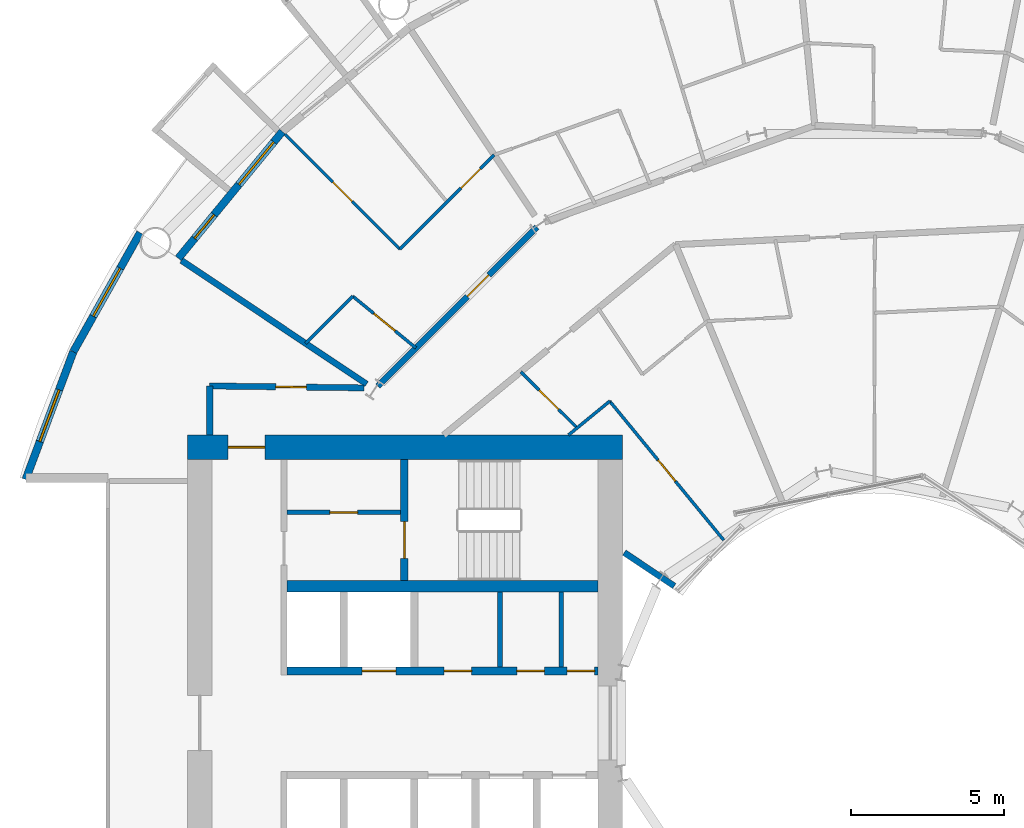
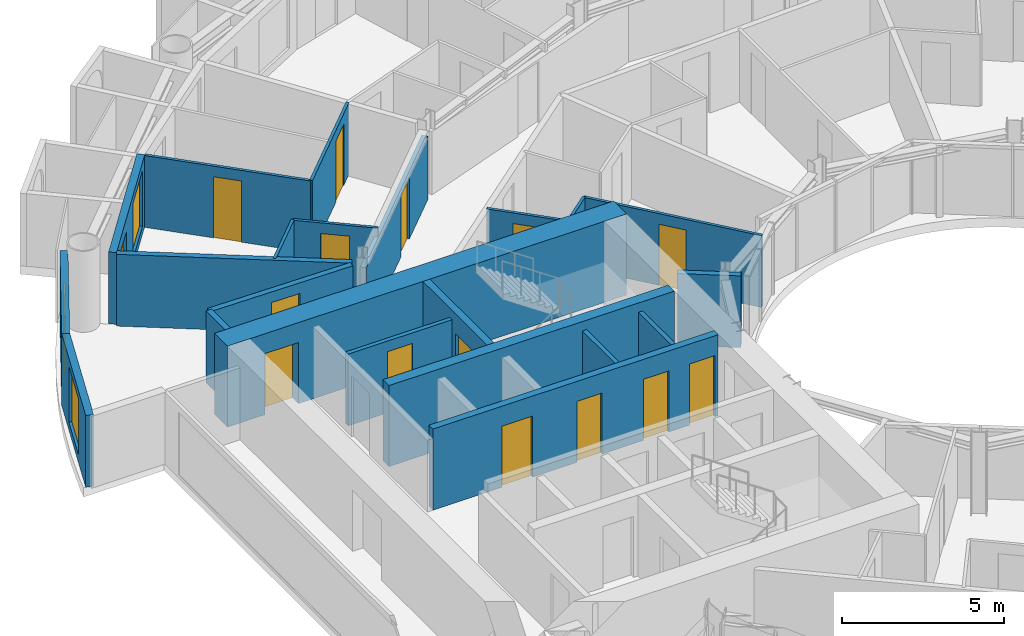
# One storey, part 18 of 25: 22 walls, 15 doors, 3 windows, 18 openings.
"""IFC4 building model written with IfcOpenShell, lengths in metres."""

from ifc_helpers import new_model, si_unit, direction, frame, frame_2d, origin, place, context, subcontext, project, spatial, rectangle, extrude, material, layer, layer_set, type_object, element, fill, save


model = new_model("IFC4")

# Units and contexts
model_context = context("Model", 3, precision=1e-05, world=origin(), true_north=direction((0.0, 1.0)))
body_context = subcontext(model_context, "Body", "Model", "MODEL_VIEW")
ifc_project = project(units=[si_unit("LENGTHUNIT", "METRE"), si_unit("AREAUNIT", "SQUARE_METRE"), si_unit("VOLUMEUNIT", "CUBIC_METRE"), si_unit("PLANEANGLEUNIT", "RADIAN"), si_unit("MASSUNIT", "GRAM", prefix="KILO")], contexts=[model_context])

# Site, building, storey
site_placement = place(None, origin())
site = spatial("IfcSite", under=ifc_project, at=site_placement, CompositionType="ELEMENT")
building_placement = place(site_placement, origin())
building = spatial("IfcBuilding", under=site, at=building_placement, Name="Maasbend Ring Residences", CompositionType="ELEMENT")
storey_placement = place(building_placement, frame((0.0, 0.0, 41.10009765625)))
storey = spatial("IfcBuildingStorey", under=building, at=storey_placement, Name="L11", CompositionType="ELEMENT", Elevation=41.10009765625)

# Wall, openings, doors
ifc_material_1 = material(Name="Concrete C70/85", Category="concrete")
ifc_layer_1 = layer(ifc_material_1, 0.25)
ifc_layer_set_1 = layer_set([ifc_layer_1], Name="Concrete C70/85")
wall_type_1 = type_object("IfcWallType", Name="CORE WALL 250 C70/85", PredefinedType="SHEAR", material=ifc_layer_set_1)
wall_1_placement = place(storey_placement, frame((-19.14990234375, 1.699951171875, 0.0), z_axis=(0.0, 0.0, 1.0), x_axis=(1.0, 0.0, 0.0)))
wall_1 = element("IfcWall", 1, at=wall_1_placement, inside=storey, type_object=wall_type_1, Name="L11 core W wall SPS", PredefinedType="SHEAR", context=body_context, shape_type="SweptSolid", body=[
    extrude(rectangle(XDim=10.14990234375, YDim=0.25, at=frame_2d((5.074951171875, 0.0))), origin(), (0.0, 0.0, 1.0), 3.0498046875),
])
opening_1_placement = place(wall_1_placement, frame((2.449951171875, 0.0, 0.0)))
opening_1 = element("IfcOpeningElement", 2, at=opening_1_placement, cuts=wall_1, Name="Opening LD-W1105", PredefinedType="OPENING", context=body_context, shape_type="SweptSolid", body=[
    extrude(rectangle(XDim=1.10009765625, YDim=2.300048828125, at=frame_2d((0.550048828125, 1.14990234375))), frame((0.0, 0.135009765625, 0.0), z_axis=(0.0, -1.0, 0.0), x_axis=(1.0, 0.0, 0.0)), (0.0, 0.0, 1.0), 0.27001953125),
])
opening_2_placement = place(wall_1_placement, frame((9.137451171875, 0.0, 0.0)))
opening_2 = element("IfcOpeningElement", 3, at=opening_2_placement, cuts=wall_1, Name="Opening D-W1106", PredefinedType="OPENING", context=body_context, shape_type="SweptSolid", body=[
    extrude(rectangle(XDim=0.89990234375, YDim=2.300048828125, at=frame_2d((0.449951171875, 1.14990234375))), frame((0.0, 0.135009765625, 0.0), z_axis=(0.0, -1.0, 0.0), x_axis=(1.0, 0.0, 0.0)), (0.0, 0.0, 1.0), 0.27001953125),
])
opening_3_placement = place(wall_1_placement, frame((7.5, 0.0, 0.0)))
opening_3 = element("IfcOpeningElement", 4, at=opening_3_placement, cuts=wall_1, Name="Opening D-W1107", PredefinedType="OPENING", context=body_context, shape_type="SweptSolid", body=[
    extrude(rectangle(XDim=0.89990234375, YDim=2.300048828125, at=frame_2d((0.449951171875, 1.14990234375))), frame((0.0, 0.135009765625, 0.0), z_axis=(0.0, -1.0, 0.0), x_axis=(1.0, 0.0, 0.0)), (0.0, 0.0, 1.0), 0.27001953125),
])
opening_4_placement = place(wall_1_placement, frame((5.125, 0.0, 0.0)))
opening_4 = element("IfcOpeningElement", 5, at=opening_4_placement, cuts=wall_1, Name="Opening D-W1108", PredefinedType="OPENING", context=body_context, shape_type="SweptSolid", body=[
    extrude(rectangle(XDim=0.89990234375, YDim=2.300048828125, at=frame_2d((0.449951171875, 1.14990234375))), frame((0.0, 0.135009765625, 0.0), z_axis=(0.0, -1.0, 0.0), x_axis=(1.0, 0.0, 0.0)), (0.0, 0.0, 1.0), 0.27001953125),
])
ifc_material_2 = material(Name="Stainless steel 316", Category="steel")
door_type_1 = type_object("IfcDoorType", Name="LANDING DOOR 1100 X 2300 FD60", OperationType="DOUBLE_DOOR_SLIDING", PredefinedType="DOOR", material=ifc_material_2)
door_1_placement = place(opening_1_placement, origin())
door_1 = element("IfcDoor", 6, at=door_1_placement, inside=storey, type_object=door_type_1, Name="Landing door SV-W L11", OperationType="DOUBLE_DOOR_SLIDING", OverallHeight=2.300048828125, OverallWidth=1.10009765625, PredefinedType="DOOR", context=body_context, shape_type="SweptSolid", body=[
    extrude(rectangle(XDim=1.10009765625, YDim=2.300048828125, at=frame_2d((0.550048828125, 1.14990234375))), frame((0.0, 0.02490234375, 0.0), z_axis=(0.0, -1.0, 0.0), x_axis=(1.0, 0.0, 0.0)), (0.0, 0.0, 1.0), 0.050048828125),
])
fill(opening_1, door_1)
ifc_material_3 = material(Name="Steel, powder coated", Category="steel")
door_type_2 = type_object("IfcDoorType", Name="ROOM DOOR 900 X 2300 FD30S", OperationType="NOTDEFINED", PredefinedType="DOOR", material=ifc_material_3)
door_2_placement = place(opening_2_placement, origin())
door_2 = element("IfcDoor", 7, at=door_2_placement, inside=storey, type_object=door_type_2, Name="Room door L11", OperationType="SINGLE_SWING_LEFT", OverallHeight=2.300048828125, OverallWidth=0.89990234375, PredefinedType="DOOR", context=body_context, shape_type="SweptSolid", body=[
    extrude(rectangle(XDim=0.89990234375, YDim=2.300048828125, at=frame_2d((0.449951171875, 1.14990234375))), frame((0.0, 0.02490234375, 0.0), z_axis=(0.0, -1.0, 0.0), x_axis=(1.0, 0.0, 0.0)), (0.0, 0.0, 1.0), 0.050048828125),
])
fill(opening_2, door_2)
door_3_placement = place(opening_3_placement, origin())
door_3 = element("IfcDoor", 8, at=door_3_placement, inside=storey, type_object=door_type_2, Name="Room door L11", OperationType="SINGLE_SWING_LEFT", OverallHeight=2.300048828125, OverallWidth=0.89990234375, PredefinedType="DOOR", context=body_context, shape_type="SweptSolid", body=[
    extrude(rectangle(XDim=0.89990234375, YDim=2.300048828125, at=frame_2d((0.449951171875, 1.14990234375))), frame((0.0, 0.02490234375, 0.0), z_axis=(0.0, -1.0, 0.0), x_axis=(1.0, 0.0, 0.0)), (0.0, 0.0, 1.0), 0.050048828125),
])
fill(opening_3, door_3)
door_4_placement = place(opening_4_placement, origin())
door_4 = element("IfcDoor", 9, at=door_4_placement, inside=storey, type_object=door_type_2, Name="Room door L11", OperationType="SINGLE_SWING_LEFT", OverallHeight=2.300048828125, OverallWidth=0.89990234375, PredefinedType="DOOR", context=body_context, shape_type="SweptSolid", body=[
    extrude(rectangle(XDim=0.89990234375, YDim=2.300048828125, at=frame_2d((0.449951171875, 1.14990234375))), frame((0.0, 0.02490234375, 0.0), z_axis=(0.0, -1.0, 0.0), x_axis=(1.0, 0.0, 0.0)), (0.0, 0.0, 1.0), 0.050048828125),
])
fill(opening_4, door_4)

# Wall, opening, door
wall_2_placement = place(storey_placement, frame((-15.324951171875, 8.60009765625, 0.0), z_axis=(0.0, 0.0, 1.0), x_axis=(0.0, -1.0, 0.0)))
wall_2 = element("IfcWall", 10, at=wall_2_placement, inside=storey, type_object=wall_type_1, Name="L11 core W wall STES", PredefinedType="SHEAR", context=body_context, shape_type="SweptSolid", body=[
    extrude(rectangle(XDim=3.9501953125, YDim=0.25, at=frame_2d((1.97509765625, 0.0))), origin(), (0.0, 0.0, 1.0), 3.0498046875),
])
opening_5_placement = place(wall_2_placement, frame((2.02490234375, 0.0, 0.0)))
opening_5 = element("IfcOpeningElement", 11, at=opening_5_placement, cuts=wall_2, Name="Opening D-W1111", PredefinedType="OPENING", context=body_context, shape_type="SweptSolid", body=[
    extrude(rectangle(XDim=1.199951171875, YDim=2.300048828125, at=frame_2d((0.60009765625, 1.14990234375))), frame((0.0, 0.135009765625, 0.0), z_axis=(0.0, -1.0, 0.0), x_axis=(1.0, 0.0, 0.0)), (0.0, 0.0, 1.0), 0.27001953125),
])
ifc_material_4 = material(Name="Steel, powder coated", Category="steel")
door_type_3 = type_object("IfcDoorType", Name="STAIR DOOR 1200 X 2300 FD60", OperationType="NOTDEFINED", PredefinedType="DOOR", material=ifc_material_4)
door_5_placement = place(opening_5_placement, origin())
door_5 = element("IfcDoor", 12, at=door_5_placement, inside=storey, type_object=door_type_3, Name="Stair door ST-W L11", OperationType="SINGLE_SWING_LEFT", OverallHeight=2.300048828125, OverallWidth=1.199951171875, PredefinedType="DOOR", context=body_context, shape_type="SweptSolid", body=[
    extrude(rectangle(XDim=1.199951171875, YDim=2.300048828125, at=frame_2d((0.60009765625, 1.14990234375))), frame((0.0, 0.02490234375, 0.0), z_axis=(0.0, -1.0, 0.0), x_axis=(1.0, 0.0, 0.0)), (0.0, 0.0, 1.0), 0.050048828125),
])
fill(opening_5, door_5)

# Wall
ifc_material_5 = material(Name="Concrete C70/85", Category="concrete")
ifc_layer_2 = layer(ifc_material_5, 0.375)
ifc_layer_set_2 = layer_set([ifc_layer_2], Name="Concrete C70/85")
wall_type_2 = type_object("IfcWallType", Name="CORE WALL 375 C70/85", PredefinedType="SHEAR", material=ifc_layer_set_2)
wall_3_placement = place(storey_placement, frame((-9.0, 4.46240234375, 0.0), z_axis=(0.0, 0.0, 1.0), x_axis=(-1.0, 0.0, 0.0)))
element("IfcWall", 13, at=wall_3_placement, inside=storey, type_object=wall_type_2, Name="L11 core W wall BS", PredefinedType="SHEAR", context=body_context, shape_type="SweptSolid", body=[
    extrude(rectangle(XDim=10.14990234375, YDim=0.375, at=frame_2d((5.074951171875, 0.0))), origin(), (0.0, 0.0, 1.0), 3.0498046875),
])

# Wall, opening, door
ifc_material_6 = material(Name="Concrete C70/85", Category="concrete")
ifc_layer_3 = layer(ifc_material_6, 0.800048828125)
ifc_layer_set_3 = layer_set([ifc_layer_3], Name="Concrete C70/85")
wall_type_3 = type_object("IfcWallType", Name="CORE WALL 800 C70/85", PredefinedType="SHEAR", material=ifc_layer_set_3)
wall_4_placement = place(storey_placement, frame((-8.199951171875, 9.0, 0.0), z_axis=(0.0, 0.0, 1.0), x_axis=(-1.0, 0.0, 0.0)))
wall_4 = element("IfcWall", 14, at=wall_4_placement, inside=storey, type_object=wall_type_3, Name="L11 core W wall PS", PredefinedType="SHEAR", context=body_context, shape_type="SweptSolid", body=[
    extrude(rectangle(XDim=14.199951171875, YDim=0.800048828125, at=frame_2d((7.10009765625, 0.0))), origin(), (0.0, 0.0, 1.0), 3.0498046875),
])
opening_6_placement = place(wall_4_placement, frame((11.675048828125, 0.0, 0.0)))
opening_6 = element("IfcOpeningElement", 15, at=opening_6_placement, cuts=wall_4, Name="Opening D-W1115", PredefinedType="OPENING", context=body_context, shape_type="SweptSolid", body=[
    extrude(rectangle(XDim=1.199951171875, YDim=2.300048828125, at=frame_2d((0.60009765625, 1.14990234375))), frame((0.0, 0.41015625, 0.0), z_axis=(0.0, -1.0, 0.0), x_axis=(1.0, 0.0, 0.0)), (0.0, 0.0, 1.0), 0.820068359375),
])
ifc_material_7 = material(Name="Steel, powder coated", Category="steel")
door_type_4 = type_object("IfcDoorType", Name="CORRIDOR DOOR 1200 X 2300 FD30S", OperationType="NOTDEFINED", PredefinedType="DOOR", material=ifc_material_7)
door_6_placement = place(opening_6_placement, origin())
door_6 = element("IfcDoor", 16, at=door_6_placement, inside=storey, type_object=door_type_4, Name="Corridor door L11", OperationType="SINGLE_SWING_LEFT", OverallHeight=2.300048828125, OverallWidth=1.199951171875, PredefinedType="DOOR", context=body_context, shape_type="SweptSolid", body=[
    extrude(rectangle(XDim=1.199951171875, YDim=2.300048828125, at=frame_2d((0.60009765625, 1.14990234375))), frame((0.0, 0.02490234375, 0.0), z_axis=(0.0, -1.0, 0.0), x_axis=(1.0, 0.0, 0.0)), (0.0, 0.0, 1.0), 0.050048828125),
])
fill(opening_6, door_6)

ifc_material_8 = material(Name="Concrete C30/37", Category="concrete")
ifc_layer_4 = layer(ifc_material_8, 0.199951171875)
ifc_layer_set_4 = layer_set([ifc_layer_4], Name="Concrete C30/37")
wall_type_4 = type_object("IfcWallType", Name="CORRIDOR WALL 200 CONCRETE", PredefinedType="PARTITIONING", material=ifc_layer_set_4)
wall_5_placement = place(storey_placement, frame((-21.675048828125, 11.0, 0.0), z_axis=(0.0, 0.0, 1.0), x_axis=(0.99992425795, -0.012307654658, 0.0)))
wall_5 = element("IfcWall", 17, at=wall_5_placement, inside=storey, type_object=wall_type_4, Name="U-L11-w095", PredefinedType="PARTITIONING", context=body_context, shape_type="SweptSolid", body=[
    extrude(rectangle(XDim=5.03857421875, YDim=0.199951171875, at=frame_2d((2.519287109375, 0.0))), origin(), (0.0, 0.0, 1.0), 2.699951171875),
])
opening_7_placement = place(wall_5_placement, frame((2.155029296875, 0.0, 0.0)))
opening_7 = element("IfcOpeningElement", 18, at=opening_7_placement, cuts=wall_5, Name="Opening D-1170", PredefinedType="OPENING", context=body_context, shape_type="SweptSolid", body=[
    extrude(rectangle(XDim=1.0, YDim=2.300048828125, at=frame_2d((0.5, 1.14990234375))), frame((0.0, 0.10986328125, 0.0), z_axis=(0.0, -1.0, 0.0), x_axis=(1.0, 0.0, 0.0)), (0.0, 0.0, 1.0), 0.219970703125),
])
ifc_material_9 = material(Name="Timber, painted", Category="wood")
door_type_5 = type_object("IfcDoorType", Name="ROOM DOOR 1000 X 2300", OperationType="NOTDEFINED", PredefinedType="DOOR", material=ifc_material_9)
door_7_placement = place(opening_7_placement, origin())
door_7 = element("IfcDoor", 19, at=door_7_placement, inside=storey, type_object=door_type_5, Name="D-1170", OperationType="SINGLE_SWING_RIGHT", OverallHeight=2.300048828125, OverallWidth=1.0, PredefinedType="DOOR", context=body_context, shape_type="SweptSolid", body=[
    extrude(rectangle(XDim=1.0, YDim=2.300048828125, at=frame_2d((0.5, 1.14990234375))), frame((0.0, 0.02490234375, 0.0), z_axis=(0.0, -1.0, 0.0), x_axis=(1.0, 0.0, 0.0)), (0.0, 0.0, 1.0), 0.050048828125),
])
fill(opening_7, door_7)

wall_6_placement = place(storey_placement, frame((-16.18701171875, 10.9990234375, 0.0), z_axis=(0.0, 0.0, 1.0), x_axis=(0.707106781187, 0.707106781187, 0.0)))
wall_6 = element("IfcWall", 20, at=wall_6_placement, inside=storey, type_object=wall_type_4, Name="U-L11-w108", PredefinedType="PARTITIONING", context=body_context, shape_type="SweptSolid", body=[
    extrude(rectangle(XDim=7.3369140625, YDim=0.199951171875, at=frame_2d((3.66845703125, 0.0))), origin(), (0.0, 0.0, 1.0), 2.3798828125),
])
opening_8_placement = place(wall_6_placement, frame((4.1240234375, 0.0, 0.0)))
opening_8 = element("IfcOpeningElement", 21, at=opening_8_placement, cuts=wall_6, Name="Opening D-1119", PredefinedType="OPENING", context=body_context, shape_type="SweptSolid", body=[
    extrude(rectangle(XDim=1.0, YDim=2.300048828125, at=frame_2d((0.5, 1.14990234375))), frame((0.0, 0.10986328125, 0.0), z_axis=(0.0, -1.0, 0.0), x_axis=(1.0, 0.0, 0.0)), (0.0, 0.0, 1.0), 0.219970703125),
])
ifc_material_10 = material(Name="Timber, fire-rated, painted", Category="wood")
door_type_6 = type_object("IfcDoorType", Name="FLAT ENTRANCE DOOR 1000 X 2300 FIRE-RATED", OperationType="NOTDEFINED", PredefinedType="DOOR", material=ifc_material_10)
door_8_placement = place(opening_8_placement, origin())
door_8 = element("IfcDoor", 22, at=door_8_placement, inside=storey, type_object=door_type_6, Name="D-1119", OperationType="SINGLE_SWING_RIGHT", OverallHeight=2.300048828125, OverallWidth=1.0, PredefinedType="DOOR", context=body_context, shape_type="SweptSolid", body=[
    extrude(rectangle(XDim=1.0, YDim=2.300048828125, at=frame_2d((0.5, 1.14990234375))), frame((0.0, 0.02490234375, 0.0), z_axis=(0.0, -1.0, 0.0), x_axis=(1.0, 0.0, 0.0)), (0.0, 0.0, 1.0), 0.050048828125),
])
fill(opening_8, door_8)

# Wall
wall_7_placement = place(storey_placement, frame((-21.675048828125, 9.39990234375, 0.0), z_axis=(0.0, 0.0, 1.0), x_axis=(0.0, 1.0, 0.0)))
element("IfcWall", 23, at=wall_7_placement, inside=storey, type_object=wall_type_4, Name="U-L11-w116", PredefinedType="PARTITIONING", context=body_context, shape_type="SweptSolid", body=[
    extrude(rectangle(XDim=1.60009765625, YDim=0.199951171875, at=frame_2d((0.800048828125, 0.0))), origin(), (0.0, 0.0, 1.0), 2.699951171875),
])

# Wall, openings, door, window
ifc_material_11 = material(Name="Aluminium clad insulated panel", Category="aluminium")
ifc_layer_5 = layer(ifc_material_11, 0.25)
ifc_layer_set_5 = layer_set([ifc_layer_5], Name="EW-GL")
wall_type_5 = type_object("IfcWallType", Name="EW-GL", PredefinedType="SOLIDWALL", material=ifc_layer_set_5)
wall_8_placement = place(storey_placement, frame((-19.303955078125, 19.303955078125, 0.0), z_axis=(0.0, 0.0, 1.0), x_axis=(-0.634382322723, -0.773019449054, 0.0)))
wall_8 = element("IfcWall", 24, at=wall_8_placement, inside=storey, type_object=wall_type_5, Name="External wall N10", PredefinedType="SOLIDWALL", context=body_context, shape_type="SweptSolid", body=[
    extrude(rectangle(XDim=5.351806640625, YDim=0.25, at=frame_2d((2.67578125, 0.0))), origin(), (0.0, 0.0, 1.0), 2.699951171875),
])
opening_9_placement = place(wall_8_placement, frame((0.441162109375, 0.0, 0.300048828125)))
opening_9 = element("IfcOpeningElement", 25, at=opening_9_placement, cuts=wall_8, Name="Opening W-BX", PredefinedType="OPENING", context=body_context, shape_type="SweptSolid", body=[
    extrude(rectangle(XDim=1.800048828125, YDim=2.10009765625, at=frame_2d((0.89990234375, 1.050048828125))), frame((0.0, 0.135009765625, 0.0), z_axis=(0.0, -1.0, 0.0), x_axis=(1.0, 0.0, 0.0)), (0.0, 0.0, 1.0), 0.27001953125),
])
opening_10_placement = place(wall_8_placement, frame((3.510498046875, 0.0, 0.0)))
opening_10 = element("IfcOpeningElement", 26, at=opening_10_placement, cuts=wall_8, Name="Opening D-LG", PredefinedType="OPENING", context=body_context, shape_type="SweptSolid", body=[
    extrude(rectangle(XDim=1.0, YDim=2.199951171875, at=frame_2d((0.5, 1.10009765625))), frame((0.0, 0.135009765625, 0.0), z_axis=(0.0, -1.0, 0.0), x_axis=(1.0, 0.0, 0.0)), (0.0, 0.0, 1.0), 0.27001953125),
])
ifc_material_12 = material(Name="Aluminium and clear glass", Category="aluminium")
door_type_7 = type_object("IfcDoorType", Name="D-LG", OperationType="SINGLE_SWING_LEFT", PredefinedType="DOOR", material=ifc_material_12)
door_9_placement = place(opening_10_placement, origin())
door_9 = element("IfcDoor", 27, at=door_9_placement, inside=storey, type_object=door_type_7, Name="Loggia door N20", OperationType="SINGLE_SWING_LEFT", OverallHeight=2.199951171875, OverallWidth=1.0, PredefinedType="DOOR", context=body_context, shape_type="SweptSolid", body=[
    extrude(rectangle(XDim=1.0, YDim=2.199951171875, at=frame_2d((0.5, 1.10009765625))), frame((0.0, 0.02490234375, 0.0), z_axis=(0.0, -1.0, 0.0), x_axis=(1.0, 0.0, 0.0)), (0.0, 0.0, 1.0), 0.050048828125),
])
fill(opening_10, door_9)
ifc_material_13 = material(Name="Aluminium and clear glass", Category="aluminium")
window_type = type_object("IfcWindowType", Name="W-BX", PartitioningType="DOUBLE_PANEL_VERTICAL", PredefinedType="WINDOW", material=ifc_material_13)
window_1_placement = place(opening_9_placement, origin())
window_1 = element("IfcWindow", 28, at=window_1_placement, inside=storey, type_object=window_type, Name="Window N19 room to box", OverallHeight=2.10009765625, OverallWidth=1.800048828125, PartitioningType="SINGLE_PANEL", PredefinedType="WINDOW", context=body_context, shape_type="SweptSolid", body=[
    extrude(rectangle(XDim=1.800048828125, YDim=2.10009765625, at=frame_2d((0.89990234375, 1.050048828125))), frame((0.0, 0.030029296875, 0.0), z_axis=(0.0, -1.0, 0.0), x_axis=(1.0, 0.0, 0.0)), (0.0, 0.0, 1.0), 0.06005859375),
])
fill(opening_9, window_1)

# Wall, opening, window
ifc_material_14 = material(Name="Aluminium clad insulated panel", Category="aluminium")
ifc_layer_6 = layer(ifc_material_14, 0.25)
ifc_layer_set_6 = layer_set([ifc_layer_6], Name="EW-HORN")
wall_type_6 = type_object("IfcWallType", Name="EW-HORN", PredefinedType="SOLIDWALL", material=ifc_layer_set_6)
wall_9_placement = place(storey_placement, frame((-23.946044921875, 16.0, 0.0), z_axis=(0.0, 0.0, 1.0), x_axis=(-0.489696356642, -0.871893042919, 0.0)))
wall_9 = element("IfcWall", 29, at=wall_9_placement, inside=storey, type_object=wall_type_6, Name="Horn wall 4.1", PredefinedType="SOLIDWALL", context=body_context, shape_type="SweptSolid", body=[
    extrude(rectangle(XDim=4.45361328125, YDim=0.25, at=frame_2d((2.226806640625, 0.0))), origin(), (0.0, 0.0, 1.0), 2.699951171875),
])
opening_11_placement = place(wall_9_placement, frame((1.32666015625, 0.0, 0.300048828125)))
opening_11 = element("IfcOpeningElement", 30, at=opening_11_placement, cuts=wall_9, Name="Opening W-BX", PredefinedType="OPENING", context=body_context, shape_type="SweptSolid", body=[
    extrude(rectangle(XDim=1.800048828125, YDim=2.10009765625, at=frame_2d((0.89990234375, 1.050048828125))), frame((0.0, 0.135009765625, 0.0), z_axis=(0.0, -1.0, 0.0), x_axis=(1.0, 0.0, 0.0)), (0.0, 0.0, 1.0), 0.27001953125),
])
window_2_placement = place(opening_11_placement, origin())
window_2 = element("IfcWindow", 31, at=window_2_placement, inside=storey, type_object=window_type, Name="Horn window 4.1", OverallHeight=2.10009765625, OverallWidth=1.800048828125, PartitioningType="SINGLE_PANEL", PredefinedType="WINDOW", context=body_context, shape_type="SweptSolid", body=[
    extrude(rectangle(XDim=1.800048828125, YDim=2.10009765625, at=frame_2d((0.89990234375, 1.050048828125))), frame((0.0, 0.030029296875, 0.0), z_axis=(0.0, -1.0, 0.0), x_axis=(1.0, 0.0, 0.0)), (0.0, 0.0, 1.0), 0.06005859375),
])
fill(opening_11, window_2)

wall_10_placement = place(storey_placement, frame((-26.126953125, 12.116943359375, 0.0), z_axis=(0.0, 0.0, 1.0), x_axis=(-0.349247811493, -0.937030397675, 0.0)))
wall_10 = element("IfcWall", 32, at=wall_10_placement, inside=storey, type_object=wall_type_6, Name="Horn wall 4.2", PredefinedType="SOLIDWALL", context=body_context, shape_type="SweptSolid", body=[
    extrude(rectangle(XDim=4.4521484375, YDim=0.25, at=frame_2d((2.22607421875, 0.0))), origin(), (0.0, 0.0, 1.0), 2.699951171875),
])
opening_12_placement = place(wall_10_placement, frame((1.32666015625, 0.0, 0.300048828125)))
opening_12 = element("IfcOpeningElement", 33, at=opening_12_placement, cuts=wall_10, Name="Opening W-BX", PredefinedType="OPENING", context=body_context, shape_type="SweptSolid", body=[
    extrude(rectangle(XDim=1.800048828125, YDim=2.10009765625, at=frame_2d((0.89990234375, 1.050048828125))), frame((0.0, 0.135009765625, 0.0), z_axis=(0.0, -1.0, 0.0), x_axis=(1.0, 0.0, 0.0)), (0.0, 0.0, 1.0), 0.27001953125),
])
window_3_placement = place(opening_12_placement, origin())
window_3 = element("IfcWindow", 34, at=window_3_placement, inside=storey, type_object=window_type, Name="Horn window 4.2", OverallHeight=2.10009765625, OverallWidth=1.800048828125, PartitioningType="SINGLE_PANEL", PredefinedType="WINDOW", context=body_context, shape_type="SweptSolid", body=[
    extrude(rectangle(XDim=1.800048828125, YDim=2.10009765625, at=frame_2d((0.89990234375, 1.050048828125))), frame((0.0, 0.030029296875, 0.0), z_axis=(0.0, -1.0, 0.0), x_axis=(1.0, 0.0, 0.0)), (0.0, 0.0, 1.0), 0.06005859375),
])
fill(opening_12, window_3)

# Wall, opening, door
ifc_material_15 = material(Name="Gypsum board on steel studs", Category="steel")
ifc_layer_7 = layer(ifc_material_15, 0.10009765625)
ifc_layer_set_7 = layer_set([ifc_layer_7], Name="PARTITION 100 GYPSUM")
wall_type_7 = type_object("IfcWallType", Name="PARTITION 100 GYPSUM", PredefinedType="PARTITIONING", material=ifc_layer_set_7)
wall_11_placement = place(storey_placement, frame((-19.216064453125, 19.216064453125, 0.0), z_axis=(0.0, 0.0, 1.0), x_axis=(0.707106781187, -0.707106781187, 0.0)))
wall_11 = element("IfcWall", 35, at=wall_11_placement, inside=storey, type_object=wall_type_7, Name="U-L11-w034", PredefinedType="PARTITIONING", context=body_context, shape_type="SweptSolid", body=[
    extrude(rectangle(XDim=5.3046875, YDim=0.10009765625, at=frame_2d((2.65234375, 0.0))), origin(), (0.0, 0.0, 1.0), 2.699951171875),
])
opening_13_placement = place(wall_11_placement, frame((2.201904296875, 0.0, 0.0)))
opening_13 = element("IfcOpeningElement", 36, at=opening_13_placement, cuts=wall_11, Name="Opening D-1121", PredefinedType="OPENING", context=body_context, shape_type="SweptSolid", body=[
    extrude(rectangle(XDim=0.89990234375, YDim=2.300048828125, at=frame_2d((0.449951171875, 1.14990234375))), frame((0.0, 0.06005859375, 0.0), z_axis=(0.0, -1.0, 0.0), x_axis=(1.0, 0.0, 0.0)), (0.0, 0.0, 1.0), 0.1201171875),
])
ifc_material_16 = material(Name="Timber, painted", Category="wood")
door_type_8 = type_object("IfcDoorType", Name="INTERNAL DOOR 900 X 2300", OperationType="NOTDEFINED", PredefinedType="DOOR", material=ifc_material_16)
door_10_placement = place(opening_13_placement, origin())
door_10 = element("IfcDoor", 37, at=door_10_placement, inside=storey, type_object=door_type_8, Name="D-1121", OperationType="SINGLE_SWING_LEFT", OverallHeight=2.300048828125, OverallWidth=0.89990234375, PredefinedType="DOOR", context=body_context, shape_type="SweptSolid", body=[
    extrude(rectangle(XDim=0.89990234375, YDim=2.300048828125, at=frame_2d((0.449951171875, 1.14990234375))), frame((0.0, 0.02490234375, 0.0), z_axis=(0.0, -1.0, 0.0), x_axis=(1.0, 0.0, 0.0)), (0.0, 0.0, 1.0), 0.050048828125),
])
fill(opening_13, door_10)

wall_12_placement = place(storey_placement, frame((-17.00390625, 13.927001953125, 0.0), z_axis=(0.0, 0.0, 1.0), x_axis=(0.77367517848, -0.633582447834, 0.0)))
wall_12 = element("IfcWall", 38, at=wall_12_placement, inside=storey, type_object=wall_type_7, Name="U-L11-w037", PredefinedType="PARTITIONING", context=body_context, shape_type="SweptSolid", body=[
    extrude(rectangle(XDim=2.6611328125, YDim=0.10009765625, at=frame_2d((1.33056640625, 0.0))), origin(), (0.0, 0.0, 1.0), 2.699951171875),
])
opening_14_placement = place(wall_12_placement, frame((0.881103515625, 0.0, 0.0)))
opening_14 = element("IfcOpeningElement", 39, at=opening_14_placement, cuts=wall_12, Name="Opening D-1120", PredefinedType="OPENING", context=body_context, shape_type="SweptSolid", body=[
    extrude(rectangle(XDim=0.89990234375, YDim=2.300048828125, at=frame_2d((0.449951171875, 1.14990234375))), frame((0.0, 0.06005859375, 0.0), z_axis=(0.0, -1.0, 0.0), x_axis=(1.0, 0.0, 0.0)), (0.0, 0.0, 1.0), 0.1201171875),
])
door_11_placement = place(opening_14_placement, origin())
door_11 = element("IfcDoor", 40, at=door_11_placement, inside=storey, type_object=door_type_8, Name="D-1120", OperationType="SINGLE_SWING_RIGHT", OverallHeight=2.300048828125, OverallWidth=0.89990234375, PredefinedType="DOOR", context=body_context, shape_type="SweptSolid", body=[
    extrude(rectangle(XDim=0.89990234375, YDim=2.300048828125, at=frame_2d((0.449951171875, 1.14990234375))), frame((0.0, 0.02490234375, 0.0), z_axis=(0.0, -1.0, 0.0), x_axis=(1.0, 0.0, 0.0)), (0.0, 0.0, 1.0), 0.050048828125),
])
fill(opening_14, door_11)

wall_13_placement = place(storey_placement, frame((-11.52392578125, 11.464111328125, 0.0), z_axis=(0.0, 0.0, 1.0), x_axis=(0.708796844581, -0.705412668665, 0.0)))
wall_13 = element("IfcWall", 41, at=wall_13_placement, inside=storey, type_object=wall_type_7, Name="U-L11-w044", PredefinedType="PARTITIONING", context=body_context, shape_type="SweptSolid", body=[
    extrude(rectangle(XDim=2.59716796875, YDim=0.10009765625, at=frame_2d((1.298583984375, 0.0))), origin(), (0.0, 0.0, 1.0), 2.699951171875),
])
opening_15_placement = place(wall_13_placement, frame((0.84912109375, 0.0, 0.0)))
opening_15 = element("IfcOpeningElement", 42, at=opening_15_placement, cuts=wall_13, Name="Opening D-1133", PredefinedType="OPENING", context=body_context, shape_type="SweptSolid", body=[
    extrude(rectangle(XDim=0.89990234375, YDim=2.300048828125, at=frame_2d((0.449951171875, 1.14990234375))), frame((0.0, 0.06005859375, 0.0), z_axis=(0.0, -1.0, 0.0), x_axis=(1.0, 0.0, 0.0)), (0.0, 0.0, 1.0), 0.1201171875),
])
door_12_placement = place(opening_15_placement, origin())
door_12 = element("IfcDoor", 43, at=door_12_placement, inside=storey, type_object=door_type_8, Name="D-1133", OperationType="SINGLE_SWING_RIGHT", OverallHeight=2.300048828125, OverallWidth=0.89990234375, PredefinedType="DOOR", context=body_context, shape_type="SweptSolid", body=[
    extrude(rectangle(XDim=0.89990234375, YDim=2.300048828125, at=frame_2d((0.449951171875, 1.14990234375))), frame((0.0, 0.02490234375, 0.0), z_axis=(0.0, -1.0, 0.0), x_axis=(1.0, 0.0, 0.0)), (0.0, 0.0, 1.0), 0.050048828125),
])
fill(opening_15, door_12)

wall_14_placement = place(storey_placement, frame((-8.6201171875, 10.50390625, 0.0), z_axis=(0.0, 0.0, 1.0), x_axis=(0.634358693064, -0.773038840249, 0.0)))
wall_14 = element("IfcWall", 44, at=wall_14_placement, inside=storey, type_object=wall_type_7, Name="U-L11-w050", PredefinedType="PARTITIONING", context=body_context, shape_type="SweptSolid", body=[
    extrude(rectangle(XDim=5.86767578125, YDim=0.10009765625, at=frame_2d((2.933837890625, 0.0))), origin(), (0.0, 0.0, 1.0), 2.699951171875),
])
opening_16_placement = place(wall_14_placement, frame((2.48388671875, 0.0, 0.0)))
opening_16 = element("IfcOpeningElement", 45, at=opening_16_placement, cuts=wall_14, Name="Opening D-1134", PredefinedType="OPENING", context=body_context, shape_type="SweptSolid", body=[
    extrude(rectangle(XDim=0.89990234375, YDim=2.300048828125, at=frame_2d((0.449951171875, 1.14990234375))), frame((0.0, 0.06005859375, 0.0), z_axis=(0.0, -1.0, 0.0), x_axis=(1.0, 0.0, 0.0)), (0.0, 0.0, 1.0), 0.1201171875),
])
door_13_placement = place(opening_16_placement, origin())
door_13 = element("IfcDoor", 46, at=door_13_placement, inside=storey, type_object=door_type_8, Name="D-1134", OperationType="SINGLE_SWING_RIGHT", OverallHeight=2.300048828125, OverallWidth=0.89990234375, PredefinedType="DOOR", context=body_context, shape_type="SweptSolid", body=[
    extrude(rectangle(XDim=0.89990234375, YDim=2.300048828125, at=frame_2d((0.449951171875, 1.14990234375))), frame((0.0, 0.02490234375, 0.0), z_axis=(0.0, -1.0, 0.0), x_axis=(1.0, 0.0, 0.0)), (0.0, 0.0, 1.0), 0.050048828125),
])
fill(opening_16, door_13)

# Walls
wall_15_placement = place(storey_placement, frame((-9.965087890625, 9.39990234375, 0.0), z_axis=(0.0, 0.0, 1.0), x_axis=(0.773141825369, 0.634233173104, 0.0)))
element("IfcWall", 47, at=wall_15_placement, inside=storey, type_object=wall_type_7, Name="U-L11-w101", PredefinedType="PARTITIONING", context=body_context, shape_type="SweptSolid", body=[
    extrude(rectangle(XDim=1.748779296875, YDim=0.10009765625, at=frame_2d((0.87451171875, 0.0))), origin(), (0.0, 0.0, 1.0), 2.699951171875),
])
wall_16_placement = place(storey_placement, frame((-18.5419921875, 12.388916015625, 0.0), z_axis=(0.0, 0.0, 1.0), x_axis=(0.707106781187, 0.707106781187, 0.0)))
element("IfcWall", 48, at=wall_16_placement, inside=storey, type_object=wall_type_7, Name="U-L11-w117", PredefinedType="PARTITIONING", context=body_context, shape_type="SweptSolid", body=[
    extrude(rectangle(XDim=2.17529296875, YDim=0.10009765625, at=frame_2d((1.087646484375, 0.0))), origin(), (0.0, 0.0, 1.0), 2.699951171875),
])

# Wall, opening, door
wall_17_placement = place(storey_placement, frame((-15.465087890625, 15.465087890625, 0.0), z_axis=(0.0, 0.0, 1.0), x_axis=(0.707022606819, 0.707190945535, 0.0)))
wall_17 = element("IfcWall", 49, at=wall_17_placement, inside=storey, type_object=wall_type_7, Name="U-L11-w118", PredefinedType="PARTITIONING", context=body_context, shape_type="SweptSolid", body=[
    extrude(rectangle(XDim=4.350830078125, YDim=0.10009765625, at=frame_2d((2.17529296875, 0.0))), origin(), (0.0, 0.0, 1.0), 2.699951171875),
])
opening_17_placement = place(wall_17_placement, frame((2.81298828125, 0.0, 0.0)))
opening_17 = element("IfcOpeningElement", 50, at=opening_17_placement, cuts=wall_17, Name="Opening D-1122", PredefinedType="OPENING", context=body_context, shape_type="SweptSolid", body=[
    extrude(rectangle(XDim=0.89990234375, YDim=2.300048828125, at=frame_2d((0.449951171875, 1.14990234375))), frame((0.0, 0.06005859375, 0.0), z_axis=(0.0, -1.0, 0.0), x_axis=(1.0, 0.0, 0.0)), (0.0, 0.0, 1.0), 0.1201171875),
])
door_14_placement = place(opening_17_placement, origin())
door_14 = element("IfcDoor", 51, at=door_14_placement, inside=storey, type_object=door_type_8, Name="D-1122", OperationType="SINGLE_SWING_RIGHT", OverallHeight=2.300048828125, OverallWidth=0.89990234375, PredefinedType="DOOR", context=body_context, shape_type="SweptSolid", body=[
    extrude(rectangle(XDim=0.89990234375, YDim=2.300048828125, at=frame_2d((0.449951171875, 1.14990234375))), frame((0.0, 0.02490234375, 0.0), z_axis=(0.0, -1.0, 0.0), x_axis=(1.0, 0.0, 0.0)), (0.0, 0.0, 1.0), 0.050048828125),
])
fill(opening_17, door_14)

# Walls
ifc_material_17 = material(Name="Gypsum board on steel studs", Category="steel")
ifc_layer_8 = layer(ifc_material_17, 0.14990234375)
ifc_layer_set_8 = layer_set([ifc_layer_8], Name="PARTITION 150 EI 60")
wall_type_8 = type_object("IfcWallType", Name="PARTITION 150 EI 60", PredefinedType="PARTITIONING", material=ifc_layer_set_8)
for number, where, z_axis, x_axis, name in (
    (52, (-10.199951171875, 1.824951171875, 0.0), (0.0, 0.0, 1.0), (0.0, 1.0, 0.0), "L11 core W wall PRS1020"),
    (53, (-12.199951171875, 1.824951171875, 0.0), (0.0, 0.0, 1.0), (0.0, 1.0, 0.0), "L11 core W wall PRS1220"),
):
    element("IfcWall", number, at=place(storey_placement, frame(where, z_axis=z_axis, x_axis=x_axis)), inside=storey, type_object=wall_type_8, Name=name, PredefinedType="PARTITIONING", context=body_context, shape_type="SweptSolid", body=[
        extrude(rectangle(XDim=2.449951171875, YDim=0.14990234375, at=frame_2d((1.22509765625, 0.0))), origin(), (0.0, 0.0, 1.0), 2.699951171875),
    ])

# Wall, opening, door
wall_18_placement = place(storey_placement, frame((-15.449951171875, 6.875, 0.0), z_axis=(0.0, 0.0, 1.0), x_axis=(-1.0, 0.0, 0.0)))
wall_18 = element("IfcWall", 54, at=wall_18_placement, inside=storey, type_object=wall_type_8, Name="L11 core W wall RHS", PredefinedType="PARTITIONING", context=body_context, shape_type="SweptSolid", body=[
    extrude(rectangle(XDim=3.699951171875, YDim=0.14990234375, at=frame_2d((1.85009765625, 0.0))), origin(), (0.0, 0.0, 1.0), 2.699951171875),
])
opening_18_placement = place(wall_18_placement, frame((1.39990234375, 0.0, 0.0)))
opening_18 = element("IfcOpeningElement", 55, at=opening_18_placement, cuts=wall_18, Name="Opening D-W1109", PredefinedType="OPENING", context=body_context, shape_type="SweptSolid", body=[
    extrude(rectangle(XDim=0.89990234375, YDim=2.300048828125, at=frame_2d((0.449951171875, 1.14990234375))), frame((0.0, 0.0849609375, 0.0), z_axis=(0.0, -1.0, 0.0), x_axis=(1.0, 0.0, 0.0)), (0.0, 0.0, 1.0), 0.169921875),
])
ifc_material_18 = material(Name="Steel, powder coated", Category="steel")
door_type_9 = type_object("IfcDoorType", Name="RISER DOOR 900 X 2300 FD60", OperationType="NOTDEFINED", PredefinedType="DOOR", material=ifc_material_18)
door_15_placement = place(opening_18_placement, origin())
door_15 = element("IfcDoor", 56, at=door_15_placement, inside=storey, type_object=door_type_9, Name="Riser door L11", OperationType="SINGLE_SWING_LEFT", OverallHeight=2.300048828125, OverallWidth=0.89990234375, PredefinedType="DOOR", context=body_context, shape_type="SweptSolid", body=[
    extrude(rectangle(XDim=0.89990234375, YDim=2.300048828125, at=frame_2d((0.449951171875, 1.14990234375))), frame((0.0, 0.02490234375, 0.0), z_axis=(0.0, -1.0, 0.0), x_axis=(1.0, 0.0, 0.0)), (0.0, 0.0, 1.0), 0.050048828125),
])
fill(opening_18, door_15)

# Walls
ifc_material_19 = material(Name="Concrete C30/37", Category="concrete")
ifc_layer_9 = layer(ifc_material_19, 0.199951171875)
ifc_layer_set_9 = layer_set([ifc_layer_9], Name="Concrete C30/37")
wall_type_9 = type_object("IfcWallType", Name="PARTY WALL 200 CONCRETE", PredefinedType="PARTITIONING", material=ifc_layer_set_9)
wall_19_placement = place(storey_placement, frame((-22.594970703125, 15.096923828125, 0.0), z_axis=(0.0, 0.0, 1.0), x_axis=(0.831465568067, -0.555576285599, 0.0)))
element("IfcWall", 57, at=wall_19_placement, inside=storey, type_object=wall_type_9, Name="U-L11-w033", PredefinedType="PARTITIONING", context=body_context, shape_type="SweptSolid", body=[
    extrude(rectangle(XDim=7.264404296875, YDim=0.199951171875, at=frame_2d((3.63232421875, 0.0))), origin(), (0.0, 0.0, 1.0), 2.699951171875),
])
wall_20_placement = place(storey_placement, frame((-6.512939453125, 4.471923828125, 0.0), z_axis=(0.0, 0.0, 1.0), x_axis=(-0.831417956244, 0.555647533996, 0.0)))
element("IfcWall", 58, at=wall_20_placement, inside=storey, type_object=wall_type_9, Name="U-L11-w093", PredefinedType="PARTITIONING", context=body_context, shape_type="SweptSolid", body=[
    extrude(rectangle(XDim=1.9619140625, YDim=0.199951171875, at=frame_2d((0.98095703125, 0.0))), origin(), (0.0, 0.0, 1.0), 2.699951171875),
])

save(model, "model.ifc")
